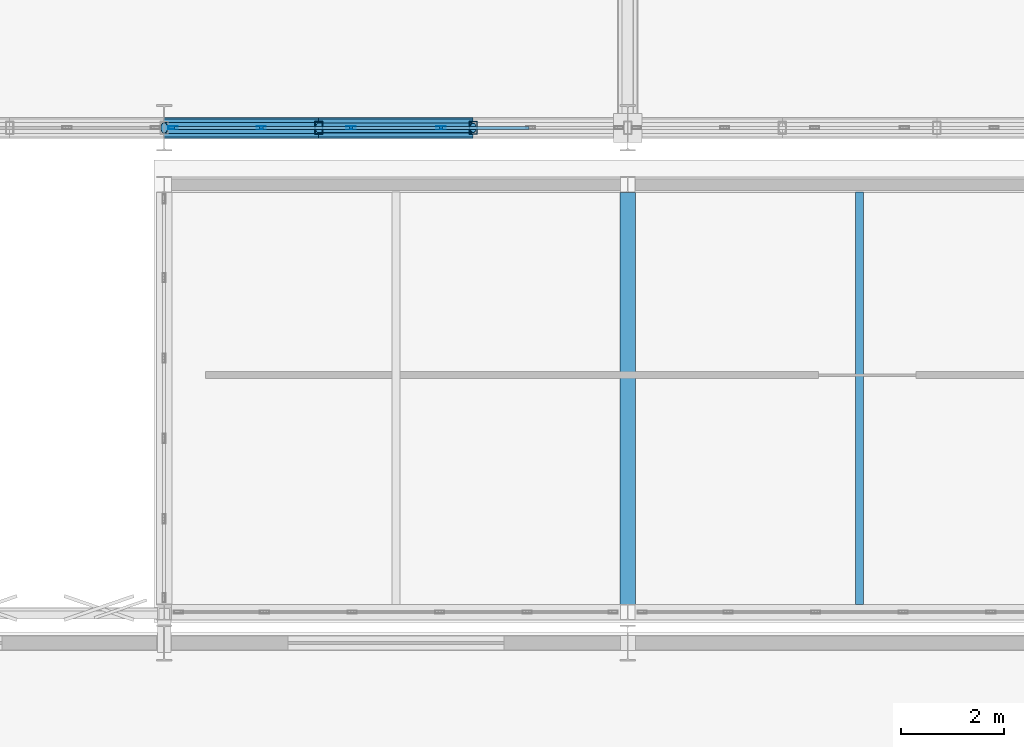
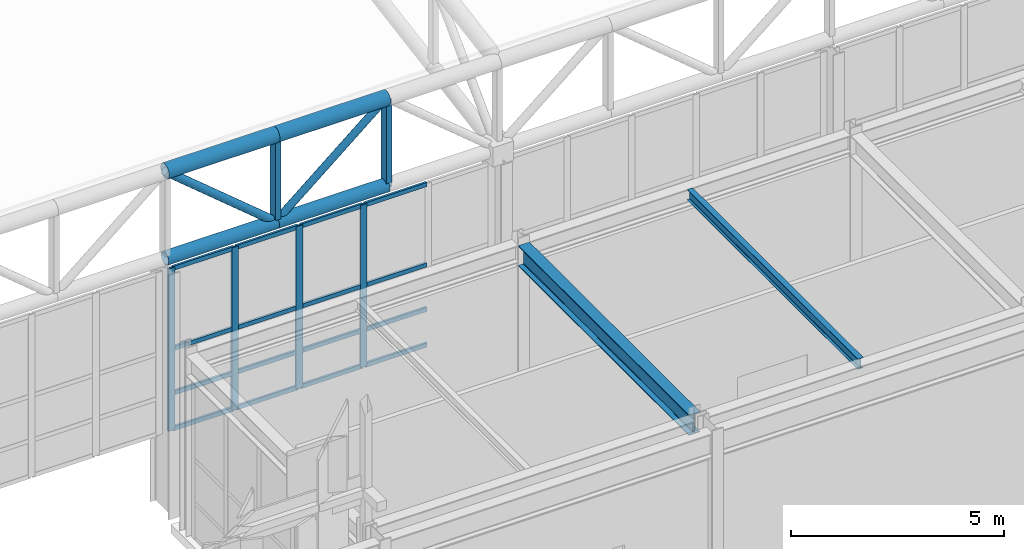
# One storey, part 33 of 239: 28 members, 2 beams, 1 element without a shape of its own.
"""IFC4 building model written with IfcOpenShell, lengths in metres."""

from ifc_helpers import new_model, si_unit, direction, frame, origin, origin_2d, place, context, subcontext, project, spatial, hollow_rectangle, hollow_circle, i_section, extrude, material, material_profile, profile_set, type_object, element, aggregate, save


model = new_model("IFC4")

# Units and contexts
model_context = context("Model", 3, precision=1e-05, world=origin(), true_north=direction((0.0, 1.0)))
body_context = subcontext(model_context, "Body", "Model", "MODEL_VIEW")
ifc_project = project(units=[si_unit("LENGTHUNIT", "METRE"), si_unit("AREAUNIT", "SQUARE_METRE"), si_unit("VOLUMEUNIT", "CUBIC_METRE"), si_unit("PLANEANGLEUNIT", "RADIAN"), si_unit("MASSUNIT", "GRAM", prefix="KILO")], contexts=[model_context])

# Site, building, storey
site_placement = place(None, origin())
site = spatial("IfcSite", under=ifc_project, at=site_placement, CompositionType="ELEMENT")
building_placement = place(site_placement, origin())
building = spatial("IfcBuilding", under=site, at=building_placement, Name="Kaldris Quays Convention Centre", CompositionType="ELEMENT")
storey_placement = place(building_placement, frame((0.0, 0.0, 11.39990234375)))
storey = spatial("IfcBuildingStorey", under=building, at=storey_placement, Name="L02", CompositionType="ELEMENT", Elevation=11.39990234375)

# Curtain wall, members
ifc_material_1 = material(Name="Anodized aluminium AW-6060 and triple glazing", Category="aluminium")
curtain_wall_type = type_object("IfcCurtainWallType", Name="UNITISED CURTAIN WALL CW03", PredefinedType="NOTDEFINED", material=ifc_material_1)
curtain_wall_placement = place(storey_placement, origin())
curtain_wall = element("IfcCurtainWall", 1, at=curtain_wall_placement, inside=storey, type_object=curtain_wall_type, Name="L02 Unitised Curtain Wall CW03 229", PredefinedType="NOTDEFINED")
ifc_material_2 = material(Name="Anodized aluminium AW-6060", Category="aluminium")
ifc_material_profile_1 = material_profile(ifc_material_2, hollow_rectangle(XDim=0.06005859375, YDim=0.179931640625, WallThickness=0.0048828125, at=origin_2d()), Name="RHS 180x60x5")
ifc_profile_set_1 = profile_set([ifc_material_profile_1], Name="Anodized aluminium AW-6060")
member_type_1 = type_object("IfcMemberType", Name="CURTAIN MULLION CWM2", PredefinedType="MULLION", material=ifc_profile_set_1)
member_1_placement = place(storey_placement, frame((29.169921875, 56.0, 2.195068359375), z_axis=(0.0, 0.0, 1.0), x_axis=(0.0, 1.0, 0.0)))
member_1 = element("IfcMember", 2, at=member_1_placement, type_object=member_type_1, Name="CW03 mullion 1", PredefinedType="MULLION", context=body_context, shape_type="SweptSolid", body=[
    extrude(hollow_rectangle(XDim=0.06005859375, YDim=0.179931640625, WallThickness=0.0048828125, at=origin_2d()), origin(), (0.0, 0.0, 1.0), 4.655029296875),
])
member_2_placement = place(storey_placement, frame((30.884033203125, 56.0, 2.195068359375), z_axis=(0.0, 0.0, 1.0), x_axis=(0.0, 1.0, 0.0)))
member_2 = element("IfcMember", 3, at=member_2_placement, type_object=member_type_1, Name="CW03 mullion 2", PredefinedType="MULLION", context=body_context, shape_type="SweptSolid", body=[
    extrude(hollow_rectangle(XDim=0.06005859375, YDim=0.179931640625, WallThickness=0.0048828125, at=origin_2d()), origin(), (0.0, 0.0, 1.0), 4.655029296875),
])
member_3_placement = place(storey_placement, frame((32.6279296875, 56.0, 2.195068359375), z_axis=(0.0, 0.0, 1.0), x_axis=(0.0, 1.0, 0.0)))
member_3 = element("IfcMember", 4, at=member_3_placement, type_object=member_type_1, Name="CW03 mullion 3", PredefinedType="MULLION", context=body_context, shape_type="SweptSolid", body=[
    extrude(hollow_rectangle(XDim=0.06005859375, YDim=0.179931640625, WallThickness=0.0048828125, at=origin_2d()), origin(), (0.0, 0.0, 1.0), 4.655029296875),
])
member_4_placement = place(storey_placement, frame((34.3720703125, 56.0, 2.195068359375), z_axis=(0.0, 0.0, 1.0), x_axis=(0.0, 1.0, 0.0)))
member_4 = element("IfcMember", 5, at=member_4_placement, type_object=member_type_1, Name="CW03 mullion 4", PredefinedType="MULLION", context=body_context, shape_type="SweptSolid", body=[
    extrude(hollow_rectangle(XDim=0.06005859375, YDim=0.179931640625, WallThickness=0.0048828125, at=origin_2d()), origin(), (0.0, 0.0, 1.0), 4.655029296875),
])
ifc_material_profile_2 = material_profile(ifc_material_2, hollow_rectangle(XDim=0.06005859375, YDim=0.1201171875, WallThickness=0.00390625, at=origin_2d()), Name="RHS 120x60x4")
ifc_profile_set_2 = profile_set([ifc_material_profile_2], Name="Anodized aluminium AW-6060")
member_type_2 = type_object("IfcMemberType", Name="CURTAIN TRANSOM CWT1", PredefinedType="USERDEFINED", material=ifc_profile_set_2)
member_5_placement = place(storey_placement, frame((29.199951171875, 56.0, 2.22509765625), z_axis=(1.0, 0.0, 0.0), x_axis=(0.0, 1.0, 0.0)))
member_5 = element("IfcMember", 6, at=member_5_placement, type_object=member_type_2, Name="CW03 transom 1.1", ObjectType="TRANSOM", PredefinedType="USERDEFINED", context=body_context, shape_type="SweptSolid", body=[
    extrude(hollow_rectangle(XDim=0.06005859375, YDim=0.1201171875, WallThickness=0.00390625, at=origin_2d()), origin(), (0.0, 0.0, 1.0), 1.654052734375),
])
member_6_placement = place(storey_placement, frame((29.199951171875, 56.0, 3.2451171875), z_axis=(1.0, 0.0, 0.0), x_axis=(0.0, 1.0, 0.0)))
member_6 = element("IfcMember", 7, at=member_6_placement, type_object=member_type_2, Name="CW03 transom 1.2", ObjectType="TRANSOM", PredefinedType="USERDEFINED", context=body_context, shape_type="SweptSolid", body=[
    extrude(hollow_rectangle(XDim=0.06005859375, YDim=0.1201171875, WallThickness=0.00390625, at=origin_2d()), origin(), (0.0, 0.0, 1.0), 1.654052734375),
])
member_7_placement = place(storey_placement, frame((29.199951171875, 56.0, 4.522216796875), z_axis=(1.0, 0.0, 0.0), x_axis=(0.0, 1.0, 0.0)))
member_7 = element("IfcMember", 8, at=member_7_placement, type_object=member_type_2, Name="CW03 transom 1.3", ObjectType="TRANSOM", PredefinedType="USERDEFINED", context=body_context, shape_type="SweptSolid", body=[
    extrude(hollow_rectangle(XDim=0.06005859375, YDim=0.1201171875, WallThickness=0.00390625, at=origin_2d()), origin(), (0.0, 0.0, 1.0), 1.654052734375),
])
member_8_placement = place(storey_placement, frame((29.199951171875, 56.0, 6.820068359375), z_axis=(1.0, 0.0, 0.0), x_axis=(0.0, 1.0, 0.0)))
member_8 = element("IfcMember", 9, at=member_8_placement, type_object=member_type_2, Name="CW03 transom 1.4", ObjectType="TRANSOM", PredefinedType="USERDEFINED", context=body_context, shape_type="SweptSolid", body=[
    extrude(hollow_rectangle(XDim=0.06005859375, YDim=0.1201171875, WallThickness=0.00390625, at=origin_2d()), origin(), (0.0, 0.0, 1.0), 1.654052734375),
])
member_9_placement = place(storey_placement, frame((30.9140625, 56.0, 2.22509765625), z_axis=(1.0, 0.0, 0.0), x_axis=(0.0, 1.0, 0.0)))
member_9 = element("IfcMember", 10, at=member_9_placement, type_object=member_type_2, Name="CW03 transom 2.1", ObjectType="TRANSOM", PredefinedType="USERDEFINED", context=body_context, shape_type="SweptSolid", body=[
    extrude(hollow_rectangle(XDim=0.06005859375, YDim=0.1201171875, WallThickness=0.00390625, at=origin_2d()), origin(), (0.0, 0.0, 1.0), 1.683837890625),
])
member_10_placement = place(storey_placement, frame((30.9140625, 56.0, 3.2451171875), z_axis=(1.0, 0.0, 0.0), x_axis=(0.0, 1.0, 0.0)))
member_10 = element("IfcMember", 11, at=member_10_placement, type_object=member_type_2, Name="CW03 transom 2.2", ObjectType="TRANSOM", PredefinedType="USERDEFINED", context=body_context, shape_type="SweptSolid", body=[
    extrude(hollow_rectangle(XDim=0.06005859375, YDim=0.1201171875, WallThickness=0.00390625, at=origin_2d()), origin(), (0.0, 0.0, 1.0), 1.683837890625),
])
member_11_placement = place(storey_placement, frame((30.9140625, 56.0, 4.522216796875), z_axis=(1.0, 0.0, 0.0), x_axis=(0.0, 1.0, 0.0)))
member_11 = element("IfcMember", 12, at=member_11_placement, type_object=member_type_2, Name="CW03 transom 2.3", ObjectType="TRANSOM", PredefinedType="USERDEFINED", context=body_context, shape_type="SweptSolid", body=[
    extrude(hollow_rectangle(XDim=0.06005859375, YDim=0.1201171875, WallThickness=0.00390625, at=origin_2d()), origin(), (0.0, 0.0, 1.0), 1.683837890625),
])
member_12_placement = place(storey_placement, frame((30.9140625, 56.0, 6.820068359375), z_axis=(1.0, 0.0, 0.0), x_axis=(0.0, 1.0, 0.0)))
member_12 = element("IfcMember", 13, at=member_12_placement, type_object=member_type_2, Name="CW03 transom 2.4", ObjectType="TRANSOM", PredefinedType="USERDEFINED", context=body_context, shape_type="SweptSolid", body=[
    extrude(hollow_rectangle(XDim=0.06005859375, YDim=0.1201171875, WallThickness=0.00390625, at=origin_2d()), origin(), (0.0, 0.0, 1.0), 1.683837890625),
])
member_13_placement = place(storey_placement, frame((32.657958984375, 56.0, 2.22509765625), z_axis=(1.0, 0.0, 0.0), x_axis=(0.0, 1.0, 0.0)))
member_13 = element("IfcMember", 14, at=member_13_placement, type_object=member_type_2, Name="CW03 transom 3.1", ObjectType="TRANSOM", PredefinedType="USERDEFINED", context=body_context, shape_type="SweptSolid", body=[
    extrude(hollow_rectangle(XDim=0.06005859375, YDim=0.1201171875, WallThickness=0.00390625, at=origin_2d()), origin(), (0.0, 0.0, 1.0), 1.68408203125),
])
member_14_placement = place(storey_placement, frame((32.657958984375, 56.0, 3.2451171875), z_axis=(1.0, 0.0, 0.0), x_axis=(0.0, 1.0, 0.0)))
member_14 = element("IfcMember", 15, at=member_14_placement, type_object=member_type_2, Name="CW03 transom 3.2", ObjectType="TRANSOM", PredefinedType="USERDEFINED", context=body_context, shape_type="SweptSolid", body=[
    extrude(hollow_rectangle(XDim=0.06005859375, YDim=0.1201171875, WallThickness=0.00390625, at=origin_2d()), origin(), (0.0, 0.0, 1.0), 1.68408203125),
])
member_15_placement = place(storey_placement, frame((32.657958984375, 56.0, 4.522216796875), z_axis=(1.0, 0.0, 0.0), x_axis=(0.0, 1.0, 0.0)))
member_15 = element("IfcMember", 16, at=member_15_placement, type_object=member_type_2, Name="CW03 transom 3.3", ObjectType="TRANSOM", PredefinedType="USERDEFINED", context=body_context, shape_type="SweptSolid", body=[
    extrude(hollow_rectangle(XDim=0.06005859375, YDim=0.1201171875, WallThickness=0.00390625, at=origin_2d()), origin(), (0.0, 0.0, 1.0), 1.68408203125),
])
member_16_placement = place(storey_placement, frame((32.657958984375, 56.0, 6.820068359375), z_axis=(1.0, 0.0, 0.0), x_axis=(0.0, 1.0, 0.0)))
member_16 = element("IfcMember", 17, at=member_16_placement, type_object=member_type_2, Name="CW03 transom 3.4", ObjectType="TRANSOM", PredefinedType="USERDEFINED", context=body_context, shape_type="SweptSolid", body=[
    extrude(hollow_rectangle(XDim=0.06005859375, YDim=0.1201171875, WallThickness=0.00390625, at=origin_2d()), origin(), (0.0, 0.0, 1.0), 1.68408203125),
])
member_17_placement = place(storey_placement, frame((34.402099609375, 56.0, 2.22509765625), z_axis=(1.0, 0.0, 0.0), x_axis=(0.0, 1.0, 0.0)))
member_17 = element("IfcMember", 18, at=member_17_placement, type_object=member_type_2, Name="CW03 transom 4.1", ObjectType="TRANSOM", PredefinedType="USERDEFINED", context=body_context, shape_type="SweptSolid", body=[
    extrude(hollow_rectangle(XDim=0.06005859375, YDim=0.1201171875, WallThickness=0.00390625, at=origin_2d()), origin(), (0.0, 0.0, 1.0), 1.683837890625),
])
member_18_placement = place(storey_placement, frame((34.402099609375, 56.0, 3.2451171875), z_axis=(1.0, 0.0, 0.0), x_axis=(0.0, 1.0, 0.0)))
member_18 = element("IfcMember", 19, at=member_18_placement, type_object=member_type_2, Name="CW03 transom 4.2", ObjectType="TRANSOM", PredefinedType="USERDEFINED", context=body_context, shape_type="SweptSolid", body=[
    extrude(hollow_rectangle(XDim=0.06005859375, YDim=0.1201171875, WallThickness=0.00390625, at=origin_2d()), origin(), (0.0, 0.0, 1.0), 1.683837890625),
])
member_19_placement = place(storey_placement, frame((34.402099609375, 56.0, 4.522216796875), z_axis=(1.0, 0.0, 0.0), x_axis=(0.0, 1.0, 0.0)))
member_19 = element("IfcMember", 20, at=member_19_placement, type_object=member_type_2, Name="CW03 transom 4.3", ObjectType="TRANSOM", PredefinedType="USERDEFINED", context=body_context, shape_type="SweptSolid", body=[
    extrude(hollow_rectangle(XDim=0.06005859375, YDim=0.1201171875, WallThickness=0.00390625, at=origin_2d()), origin(), (0.0, 0.0, 1.0), 1.683837890625),
])
member_20_placement = place(storey_placement, frame((34.402099609375, 56.0, 6.820068359375), z_axis=(1.0, 0.0, 0.0), x_axis=(0.0, 1.0, 0.0)))
member_20 = element("IfcMember", 21, at=member_20_placement, type_object=member_type_2, Name="CW03 transom 4.4", ObjectType="TRANSOM", PredefinedType="USERDEFINED", context=body_context, shape_type="SweptSolid", body=[
    extrude(hollow_rectangle(XDim=0.06005859375, YDim=0.1201171875, WallThickness=0.00390625, at=origin_2d()), origin(), (0.0, 0.0, 1.0), 1.683837890625),
])
aggregate(curtain_wall, [member_1, member_2, member_3, member_4, member_5, member_6, member_7, member_8, member_9, member_10, member_11, member_12, member_13, member_14, member_15, member_16, member_17, member_18, member_19, member_20])

# Beams
ifc_material_3 = material(Name="Steel S355J2", Category="steel")
ifc_material_profile_3 = material_profile(ifc_material_3, i_section(OverallWidth=0.300048828125, OverallDepth=0.590087890625, WebThickness=0.012939453125, FlangeThickness=0.02490234375, FilletRadius=0.027099609375, at=origin_2d()), Name="HEA 600")
ifc_profile_set_3 = profile_set([ifc_material_profile_3], Name="Steel S355J2")
beam_type_1 = type_object("IfcBeamType", Name="STRUCTURAL BEAM BM08", PredefinedType="BEAM", material=ifc_profile_set_3)
beam_1_placement = place(storey_placement, frame((38.0, 46.7490234375, 4.898193359375), z_axis=(0.0, 1.0, 0.0), x_axis=(-1.0, 0.0, 0.0)))
element("IfcBeam", 22, at=beam_1_placement, inside=storey, type_object=beam_type_1, Name="L02 Girder BM08 14", PredefinedType="BEAM", context=body_context, shape_type="SweptSolid", body=[
    extrude(i_section(OverallWidth=0.300048828125, OverallDepth=0.590087890625, WebThickness=0.012939453125, FlangeThickness=0.02490234375, FilletRadius=0.027099609375, at=origin_2d()), origin(), (0.0, 0.0, 1.0), 8.001953125),
])
ifc_material_profile_4 = material_profile(ifc_material_3, i_section(OverallWidth=0.14990234375, OverallDepth=0.300048828125, WebThickness=0.007080078125, FlangeThickness=0.0107421875, FilletRadius=0.014892578125, at=origin_2d()), Name="IPE 300")
ifc_profile_set_4 = profile_set([ifc_material_profile_4], Name="Steel S355J2")
beam_type_2 = type_object("IfcBeamType", Name="STRUCTURAL BEAM JT04", PredefinedType="JOIST", material=ifc_profile_set_4)
beam_2_placement = place(storey_placement, frame((42.5, 46.743896484375, 5.043212890625), z_axis=(0.0, 1.0, 0.0), x_axis=(-1.0, 0.0, 0.0)))
element("IfcBeam", 23, at=beam_2_placement, inside=storey, type_object=beam_type_2, Name="L02 Secondary Joist JT04 2", PredefinedType="JOIST", context=body_context, shape_type="SweptSolid", body=[
    extrude(i_section(OverallWidth=0.14990234375, OverallDepth=0.300048828125, WebThickness=0.007080078125, FlangeThickness=0.0107421875, FilletRadius=0.014892578125, at=origin_2d()), origin(), (0.0, 0.0, 1.0), 8.01220703125),
])

# Members
ifc_material_4 = material(Name="Steel S355J2H", Category="steel")
ifc_material_profile_5 = material_profile(ifc_material_4, hollow_circle(Radius=0.203125, WallThickness=0.01611328125, at=origin_2d()), Name="CHS 406.4x16")
ifc_profile_set_5 = profile_set([ifc_material_profile_5], Name="Steel S355J2H")
member_type_3 = type_object("IfcMemberType", Name="STRUCTURAL MEMBER SC01", PredefinedType="CHORD", material=ifc_profile_set_5)
for number, where, z_axis, x_axis, name in (
    (24, (29.0, 56.0, 9.671875), (1.0, 0.0, 0.0), (0.0, 1.0, 0.0), "SF-V1 Top Chord X 4"),
    (25, (32.0, 56.0, 9.671875), (1.0, 0.0, 0.0), (0.0, 1.0, 0.0), "SF-V1 Top Chord X 5"),
):
    element("IfcMember", number, at=place(storey_placement, frame(where, z_axis=z_axis, x_axis=x_axis)), inside=storey, type_object=member_type_3, Name=name, PredefinedType="CHORD", context=body_context, shape_type="SweptSolid", body=[
        extrude(hollow_circle(Radius=0.203125, WallThickness=0.01611328125, at=origin_2d()), origin(), (0.0, 0.0, 1.0), 3.0),
    ])
ifc_material_profile_6 = material_profile(ifc_material_4, hollow_circle(Radius=0.177734375, WallThickness=0.01611328125, at=origin_2d()), Name="CHS 355.6x16")
ifc_profile_set_6 = profile_set([ifc_material_profile_6], Name="Steel S355J2H")
member_type_4 = type_object("IfcMemberType", Name="STRUCTURAL MEMBER SC02", PredefinedType="CHORD", material=ifc_profile_set_6)
for number, where, z_axis, x_axis, name in (
    (26, (29.0, 56.0, 7.171875), (1.0, 0.0, 0.0), (0.0, 1.0, 0.0), "SF-V1 Bottom Chord X 4"),
    (27, (32.0, 56.0, 7.171875), (1.0, 0.0, 0.0), (0.0, 1.0, 0.0), "SF-V1 Bottom Chord X 5"),
):
    element("IfcMember", number, at=place(storey_placement, frame(where, z_axis=z_axis, x_axis=x_axis)), inside=storey, type_object=member_type_4, Name=name, PredefinedType="CHORD", context=body_context, shape_type="SweptSolid", body=[
        extrude(hollow_circle(Radius=0.177734375, WallThickness=0.01611328125, at=origin_2d()), origin(), (0.0, 0.0, 1.0), 3.0),
    ])
ifc_material_profile_7 = material_profile(ifc_material_4, hollow_circle(Radius=0.109619140625, WallThickness=0.010009765625, at=origin_2d()), Name="CHS 219.1x10")
ifc_profile_set_7 = profile_set([ifc_material_profile_7], Name="Steel S355J2H")
member_type_5 = type_object("IfcMemberType", Name="STRUCTURAL MEMBER SWB1", PredefinedType="BRACE", material=ifc_profile_set_7)
member_21_placement = place(storey_placement, frame((32.0, 56.0, 7.171875), z_axis=(-0.768221279597, 0.0, 0.640184399664), x_axis=(0.0, -1.0, 0.0)))
element("IfcMember", 28, at=member_21_placement, inside=storey, type_object=member_type_5, Name="SF-V1 Web Diagonal X 4", PredefinedType="BRACE", context=body_context, shape_type="SweptSolid", body=[
    extrude(hollow_circle(Radius=0.109619140625, WallThickness=0.010009765625, at=origin_2d()), origin(), (0.0, 0.0, 1.0), 3.905029296875),
])
ifc_material_profile_8 = material_profile(ifc_material_4, hollow_circle(Radius=0.096923828125, WallThickness=0.008056640625, at=origin_2d()), Name="CHS 193.7x8")
ifc_profile_set_8 = profile_set([ifc_material_profile_8], Name="Steel S355J2H")
member_type_6 = type_object("IfcMemberType", Name="STRUCTURAL MEMBER SWB3", PredefinedType="BRACE", material=ifc_profile_set_8)
member_22_placement = place(storey_placement, frame((32.0, 56.0, 7.171875), z_axis=(0.768221279597, 0.0, 0.640184399664), x_axis=(0.0, 1.0, 0.0)))
element("IfcMember", 29, at=member_22_placement, inside=storey, type_object=member_type_6, Name="SF-V1 Web Diagonal X 5", PredefinedType="BRACE", context=body_context, shape_type="SweptSolid", body=[
    extrude(hollow_circle(Radius=0.096923828125, WallThickness=0.008056640625, at=origin_2d()), origin(), (0.0, 0.0, 1.0), 3.905029296875),
])
ifc_material_profile_9 = material_profile(ifc_material_4, hollow_rectangle(XDim=0.14990234375, YDim=0.25, WallThickness=0.010009765625, at=origin_2d()), Name="RHS 250x150x10")
ifc_profile_set_9 = profile_set([ifc_material_profile_9], Name="Steel S355J2H")
member_type_7 = type_object("IfcMemberType", Name="STRUCTURAL MEMBER TTV1", PredefinedType="POST", material=ifc_profile_set_9)
for number, where, z_axis, x_axis, name in (
    (30, (32.0, 56.0, 7.171875), (0.0, 0.0, 1.0), (1.0, 0.0, 0.0), "SF-V1 Space-Frame Post 54"),
    (31, (35.0, 56.0, 7.171875), (0.0, 0.0, 1.0), (1.0, 0.0, 0.0), "SF-V1 Space-Frame Post 62"),
):
    element("IfcMember", number, at=place(storey_placement, frame(where, z_axis=z_axis, x_axis=x_axis)), inside=storey, type_object=member_type_7, Name=name, PredefinedType="POST", context=body_context, shape_type="SweptSolid", body=[
        extrude(hollow_rectangle(XDim=0.14990234375, YDim=0.25, WallThickness=0.010009765625, at=origin_2d()), origin(), (0.0, 0.0, 1.0), 2.5),
    ])

save(model, "model.ifc")
